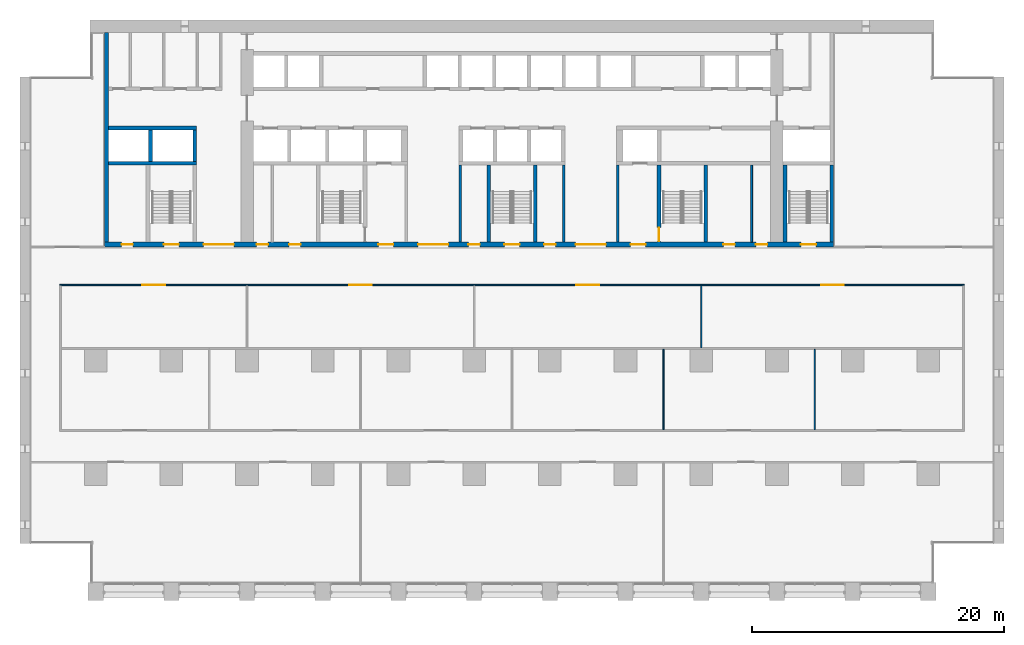
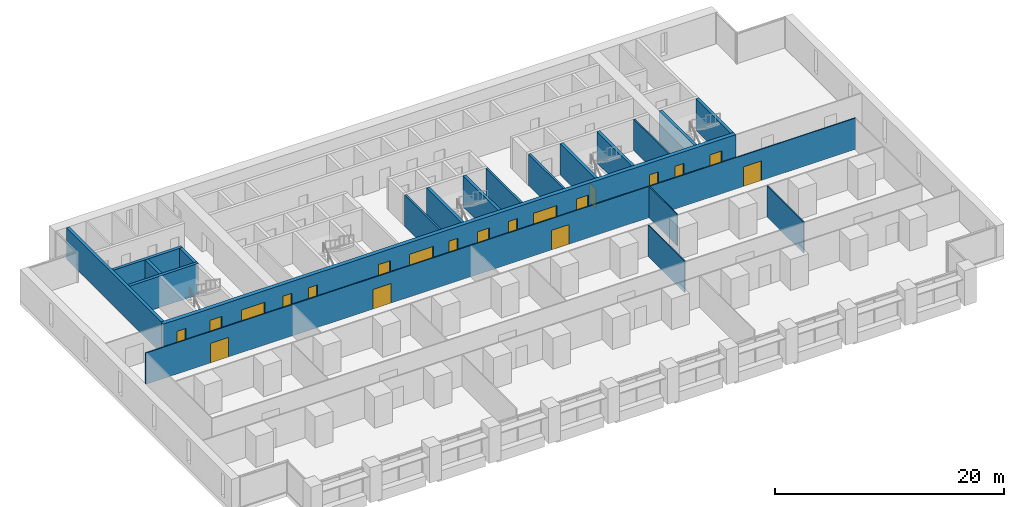
# One storey, part 10 of 18: 20 doors, 20 walls, 20 openings.
"""IFC4 building model written with IfcOpenShell, lengths in metres."""

import ifcopenshell
import ifcopenshell.guid

model = None  # the IFC model being written
_history = None  # IfcOwnerHistory: only IFC2X3 demands one
_inside = {}  # id of a spatial element -> (the spatial element, [elements in it])
_under = {}  # id of a project, library or spatial element -> (it, [spatial elements below it])
_declared = {}  # id of a project -> (the project, [libraries it declares])
_typed = {}  # id of a type object -> (the type object, [elements of that type])
_made_of = {}  # id of a material, layer set ... -> (it, [elements and type objects made of it])


def new_model(schema):
    """Start an empty IFC model of exactly this schema.

    Asked for "IFC4X3", IfcOpenShell would pick the latest addendum, in which some entities
    have other attributes; the version numbers below select the first issue.
    IFC2X3 requires an IfcOwnerHistory on every rooted entity: one is made here for all.
    """
    global model, _history
    if schema == "IFC4X3":
        model = ifcopenshell.file(schema_version=(4, 3, 0, 0))
    else:
        model = ifcopenshell.file(schema=schema)
    _inside.clear()
    _under.clear()
    _declared.clear()
    _typed.clear()
    _made_of.clear()
    _history = None
    if model.schema == "IFC2X3":
        org = make("IfcOrganization", Name="unknown")
        user = make(
            "IfcPersonAndOrganization",
            ThePerson=make("IfcPerson", FamilyName="unknown"),
            TheOrganization=org,
        )
        app = make(
            "IfcApplication",
            ApplicationDeveloper=org,
            Version="unknown",
            ApplicationFullName="unknown",
            ApplicationIdentifier="unknown",
        )
        _history = make(
            "IfcOwnerHistory",
            OwningUser=user,
            OwningApplication=app,
            ChangeAction="ADDED",
            CreationDate=0,
        )
    return model


def make(cls, **values):
    """One entity of the class cls with the attributes given. An attribute that is None is left unset."""
    return model.create_entity(
        cls, **{name: value for name, value in values.items() if value is not None}
    )


def rooted(cls, **values):
    """An entity with a GlobalId (a new one), such as an element, a storey or a relation."""
    return make(cls, GlobalId=ifcopenshell.guid.new(), OwnerHistory=_history, **values)


def si_unit(unit_type, name, prefix=None):
    """IfcSIUnit, for example si_unit("LENGTHUNIT", "METRE", prefix="MILLI")."""
    return make("IfcSIUnit", UnitType=unit_type, Prefix=prefix, Name=name)


def assignment(units):
    """IfcUnitAssignment: the units of a project."""
    return None if units is None else make("IfcUnitAssignment", Units=units)


def point(xyz):
    """IfcCartesianPoint."""
    return None if xyz is None else make("IfcCartesianPoint", Coordinates=xyz)


def direction(xyz):
    """IfcDirection."""
    return None if xyz is None else make("IfcDirection", DirectionRatios=xyz)


def frame(location, z_axis=None, x_axis=None):
    """IfcAxis2Placement3D, a coordinate frame: its origin and axes. An axis left out is left unset."""
    return make(
        "IfcAxis2Placement3D",
        Location=point(location),
        Axis=direction(z_axis),
        RefDirection=direction(x_axis),
    )


def frame_2d(location, x_axis=None):
    """IfcAxis2Placement2D, a coordinate frame in the plane: its origin and x axis."""
    return make(
        "IfcAxis2Placement2D", Location=point(location), RefDirection=direction(x_axis)
    )


def origin():
    """The frame at (0, 0, 0) with its axes left unset."""
    return frame((0.0, 0.0, 0.0))


def place(relative_to, where):
    """IfcLocalPlacement: puts the frame where relative to a parent placement (None: the world)."""
    return make(
        "IfcLocalPlacement", PlacementRelTo=relative_to, RelativePlacement=where
    )


def context(
    kind, dimensions, precision=None, world=None, true_north=None, identifier=None
):
    """IfcGeometricRepresentationContext, for example the 3D "Model" context."""
    return make(
        "IfcGeometricRepresentationContext",
        ContextIdentifier=identifier,
        ContextType=kind,
        CoordinateSpaceDimension=dimensions,
        Precision=precision,
        WorldCoordinateSystem=world,
        TrueNorth=true_north,
    )


def subcontext(parent, identifier, kind, view, scale=None):
    """IfcGeometricRepresentationSubContext, for example "Body" below "Model"."""
    return make(
        "IfcGeometricRepresentationSubContext",
        ContextIdentifier=identifier,
        ContextType=kind,
        ParentContext=parent,
        TargetScale=scale,
        TargetView=view,
    )


def project(units=None, contexts=None):
    """IfcProject with its units and contexts."""
    return rooted(
        "IfcProject",
        Name="project",
        RepresentationContexts=contexts,
        UnitsInContext=assignment(units),
    )


def spatial(cls, under=None, at=None, **own):
    """A site, building, storey or space (cls), placed at a placement, below another one or the project."""
    s = rooted(cls, ObjectPlacement=at, **own)
    if under is not None:
        _under.setdefault(under.id(), (under, []))[1].append(s)
    return s


def profile(cls, at=None, kind="AREA", **sizes):
    """A parametric profile (cls). Its sizes go by their IFC names, for example OverallWidth=200.0."""
    return make(cls, ProfileType=kind, Position=at, **sizes)


def rectangle(**sizes):
    """IfcRectangleProfileDef."""
    return profile("IfcRectangleProfileDef", **sizes)


def extrude(swept, where, along, depth):
    """IfcExtrudedAreaSolid: the profile swept, set in the frame where, extruded along a direction by depth."""
    return make(
        "IfcExtrudedAreaSolid",
        SweptArea=swept,
        Position=where,
        ExtrudedDirection=direction(along),
        Depth=depth,
    )


def shape(context_of_items, identifier, shape_type, items):
    """IfcShapeRepresentation: the items that make up one representation, for example the "Body"."""
    return make(
        "IfcShapeRepresentation",
        ContextOfItems=context_of_items,
        RepresentationIdentifier=identifier,
        RepresentationType=shape_type,
        Items=items,
    )


def material(Name=None, Category=None):
    """IfcMaterial."""
    return make("IfcMaterial", Name=Name, Category=Category)


def layer(
    of_material, thickness, ventilated=None, Name=None, Category=None, Priority=None
):
    """IfcMaterialLayer: one layer of a wall or slab, of a material (None: an air gap)."""
    return make(
        "IfcMaterialLayer",
        Material=of_material,
        LayerThickness=thickness,
        IsVentilated=ventilated,
        Name=Name,
        Category=Category,
        Priority=Priority,
    )


def layer_set(layers, Name=None):
    """IfcMaterialLayerSet."""
    return make("IfcMaterialLayerSet", MaterialLayers=layers, LayerSetName=Name)


def made_of(thing, what):
    """Note that an element or type object is made of a material, layer set ...; save() writes the relation."""
    if what is not None:
        _made_of.setdefault(what.id(), (what, []))[1].append(thing)
    return thing


def type_object(cls, material=None, **own):
    """A type object (cls), such as IfcWallType, which elements share."""
    return made_of(rooted(cls, **own), material)


def element(
    cls,
    number,
    at=None,
    inside=None,
    cuts=None,
    type_object=None,
    material=None,
    context=None,
    identifier="Body",
    shape_type=None,
    held_by="IfcProductDefinitionShape",
    body=None,
    shapes=None,
    **own,
):
    """One element of the class cls, such as IfcWall. Its Tag is "e" and its number.

    at: its placement. inside: the storey or other place that contains it. cuts: it is an
    opening in that element (IfcRelVoidsElement). A single representation is given by context,
    identifier, shape_type and body (its items); several are given by shapes. held_by: the class
    of the entity that holds the representations. save() writes the other relations.
    """
    e = rooted(cls, Tag="e%d" % number, ObjectPlacement=at, **own)
    if body is not None:
        shapes = [shape(context, identifier, shape_type, body)]
    if shapes is not None:
        e.Representation = make(held_by, Representations=shapes)
    if inside is not None:
        _inside.setdefault(inside.id(), (inside, []))[1].append(e)
    if cuts is not None:
        rooted(
            "IfcRelVoidsElement", RelatingBuildingElement=cuts, RelatedOpeningElement=e
        )
    if type_object is not None:
        _typed.setdefault(type_object.id(), (type_object, []))[1].append(e)
    return made_of(e, material)


def fill(opening, filler):
    """IfcRelFillsElement: the door or window that sits in an opening."""
    return rooted(
        "IfcRelFillsElement",
        RelatingOpeningElement=opening,
        RelatedBuildingElement=filler,
    )


def aggregate(whole, parts):
    """IfcRelAggregates: a whole, such as a stair, and the parts it consists of."""
    return rooted("IfcRelAggregates", RelatingObject=whole, RelatedObjects=parts)


def save(model, path):
    """Write the relations noted so far, then the file.

    IfcRelAggregates (storeys below a building ...), IfcRelContainedInSpatialStructure (elements
    in a storey), IfcRelDefinesByType, IfcRelAssociatesMaterial and IfcRelDeclares: one each for
    every whole, place, type object, material and project.
    """
    for whole, parts in _under.values():
        aggregate(whole, parts)
    for where, things in _inside.values():
        rooted(
            "IfcRelContainedInSpatialStructure",
            RelatedElements=things,
            RelatingStructure=where,
        )
    for kind, things in _typed.values():
        rooted("IfcRelDefinesByType", RelatedObjects=things, RelatingType=kind)
    for what, things in _made_of.values():
        rooted("IfcRelAssociatesMaterial", RelatedObjects=things, RelatingMaterial=what)
    for by, libraries in _declared.values():
        rooted("IfcRelDeclares", RelatingContext=by, RelatedDefinitions=libraries)
    model.write(path)


model = new_model("IFC4")

# Units and contexts
model_context = context("Model", 3, precision=1e-05, world=origin(), true_north=direction((0.0, 1.0)))
body_context = subcontext(model_context, "Body", "Model", "MODEL_VIEW")
ifc_project = project(units=[si_unit("LENGTHUNIT", "METRE"), si_unit("AREAUNIT", "SQUARE_METRE"), si_unit("VOLUMEUNIT", "CUBIC_METRE"), si_unit("PLANEANGLEUNIT", "RADIAN"), si_unit("MASSUNIT", "GRAM", prefix="KILO")], contexts=[model_context])

# Site, building, storey
site_placement = place(None, origin())
site = spatial("IfcSite", under=ifc_project, at=site_placement, CompositionType="ELEMENT")
building_placement = place(site_placement, origin())
building = spatial("IfcBuilding", under=site, at=building_placement, Name="Calvaro Tower", CompositionType="ELEMENT")
storey_placement = place(building_placement, frame((0.0, 0.0, 30.0)))
storey = spatial("IfcBuildingStorey", under=building, at=storey_placement, Name="L06", CompositionType="ELEMENT", Elevation=30.0)

# Walls
ifc_material_1 = material(Name="Blockwork partition", Category="masonry")
ifc_layer_1 = layer(ifc_material_1, 0.14990234375)
ifc_layer_set_1 = layer_set([ifc_layer_1], Name="Blockwork partition")
wall_type_1 = type_object("IfcWallType", Name="Core partition 150 EI 60", PredefinedType="PARTITIONING", material=ifc_layer_set_1)
wall_1_placement = place(storey_placement, frame((58.0, 28.39990234375, 0.0), z_axis=(0.0, 0.0, 1.0), x_axis=(0.0, 1.0, 0.0)))
element("IfcWall", 1, at=wall_1_placement, inside=storey, type_object=wall_type_1, Name="Core partition", PredefinedType="PARTITIONING", context=body_context, shape_type="SweptSolid", body=[
    extrude(rectangle(XDim=6.10009765625, YDim=0.14990234375, at=frame_2d((3.050048828125, 0.0))), origin(), (0.0, 0.0, 1.0), 3.35009765625),
])
ifc_material_2 = material(Name="Blockwork partition", Category="masonry")
ifc_layer_2 = layer(ifc_material_2, 0.199951171875)
ifc_layer_set_2 = layer_set([ifc_layer_2], Name="Blockwork partition")
wall_type_2 = type_object("IfcWallType", Name="Core partition 200 REI 120", PredefinedType="PARTITIONING", material=ifc_layer_set_2)
for number, where, z_axis, x_axis, name in (
    (2, (34.89990234375, 28.39990234375, 0.0), (0.0, 0.0, 1.0), (0.0, 1.0, 0.0), "Core partition"),
    (3, (43.10009765625, 28.39990234375, 0.0), (0.0, 0.0, 1.0), (0.0, 1.0, 0.0), "Core partition"),
    (4, (47.39990234375, 28.39990234375, 0.0), (0.0, 0.0, 1.0), (0.0, 1.0, 0.0), "Core partition"),
):
    element("IfcWall", number, at=place(storey_placement, frame(where, z_axis=z_axis, x_axis=x_axis)), inside=storey, type_object=wall_type_2, Name=name, PredefinedType="PARTITIONING", context=body_context, shape_type="SweptSolid", body=[
        extrude(rectangle(XDim=6.10009765625, YDim=0.199951171875, at=frame_2d((3.050048828125, 0.0))), origin(), (0.0, 0.0, 1.0), 3.35009765625),
    ])
ifc_material_3 = material(Name="Concrete C80/95", Category="concrete")
ifc_layer_3 = layer(ifc_material_3, 0.300048828125)
ifc_layer_set_3 = layer_set([ifc_layer_3], Name="Concrete C80/95")
wall_type_3 = type_object("IfcWallType", Name="Core wall C80/95 300", PredefinedType="SHEAR", material=ifc_layer_set_3)
wall_2_placement = place(storey_placement, frame((6.85009765625, 28.39990234375, 0.0), z_axis=(0.0, 0.0, 1.0), x_axis=(0.0, 1.0, 0.0)))
element("IfcWall", 5, at=wall_2_placement, inside=storey, type_object=wall_type_3, Name="Core wall, boundary", PredefinedType="SHEAR", context=body_context, shape_type="SweptSolid", body=[
    extrude(rectangle(XDim=16.60009765625, YDim=0.300048828125, at=frame_2d((8.300048828125, 0.0))), origin(), (0.0, 0.0, 1.0), 3.35009765625),
])
for number, where, z_axis, x_axis, name in (
    (6, (37.14990234375, 28.39990234375, 0.0), (0.0, 0.0, 1.0), (0.0, 1.0, 0.0), "Core wall, stair enclosure"),
    (7, (40.85009765625, 28.39990234375, 0.0), (0.0, 0.0, 1.0), (0.0, 1.0, 0.0), "Core wall, stair enclosure"),
):
    element("IfcWall", number, at=place(storey_placement, frame(where, z_axis=z_axis, x_axis=x_axis)), inside=storey, type_object=wall_type_3, Name=name, PredefinedType="SHEAR", context=body_context, shape_type="SweptSolid", body=[
        extrude(rectangle(XDim=6.10009765625, YDim=0.300048828125, at=frame_2d((3.050048828125, 0.0))), origin(), (0.0, 0.0, 1.0), 3.35009765625),
    ])

# Wall, opening, door
wall_3_placement = place(storey_placement, frame((50.64990234375, 34.5, 0.0), z_axis=(0.0, 0.0, 1.0), x_axis=(0.0, -1.0, 0.0)))
wall_3 = element("IfcWall", 8, at=wall_3_placement, inside=storey, type_object=wall_type_3, Name="Core wall, stair enclosure", PredefinedType="SHEAR", context=body_context, shape_type="SweptSolid", body=[
    extrude(rectangle(XDim=6.10009765625, YDim=0.300048828125, at=frame_2d((3.050048828125, 0.0))), origin(), (0.0, 0.0, 1.0), 3.35009765625),
])
opening_1_placement = place(wall_3_placement, frame((4.949951171875, 0.0, 0.0)))
opening_1 = element("IfcOpeningElement", 9, at=opening_1_placement, cuts=wall_3, Name="Opening FD11D", PredefinedType="OPENING", context=body_context, shape_type="SweptSolid", body=[
    extrude(rectangle(XDim=1.10009765625, YDim=2.10009765625, at=frame_2d((0.550048828125, 1.050048828125))), frame((0.0, 0.159912109375, 0.0), z_axis=(0.0, -1.0, 0.0), x_axis=(1.0, 0.0, 0.0)), (0.0, 0.0, 1.0), 0.320068359375),
])
ifc_material_4 = material(Name="Steel door set", Category="steel")
door_type_1 = type_object("IfcDoorType", Name="Fire door 1100 FD30S", OperationType="SINGLE_SWING_LEFT", PredefinedType="DOOR", material=ifc_material_4)
door_1_placement = place(opening_1_placement, origin())
door_1 = element("IfcDoor", 10, at=door_1_placement, inside=storey, type_object=door_type_1, Name="Fire door", OperationType="SINGLE_SWING_RIGHT", OverallHeight=2.10009765625, OverallWidth=1.10009765625, PredefinedType="DOOR", context=body_context, shape_type="SweptSolid", body=[
    extrude(rectangle(XDim=1.10009765625, YDim=2.10009765625, at=frame_2d((0.550048828125, 1.050048828125))), frame((0.0, 0.02490234375, 0.0), z_axis=(0.0, -1.0, 0.0), x_axis=(1.0, 0.0, 0.0)), (0.0, 0.0, 1.0), 0.050048828125),
])
fill(opening_1, door_1)

# Walls
for number, where, z_axis, x_axis, name in (
    (11, (54.35009765625, 28.39990234375, 0.0), (0.0, 0.0, 1.0), (0.0, 1.0, 0.0), "Core wall, stair enclosure"),
    (12, (60.64990234375, 28.39990234375, 0.0), (0.0, 0.0, 1.0), (0.0, 1.0, 0.0), "Core wall, stair enclosure"),
    (13, (64.35009765625, 28.39990234375, 0.0), (0.0, 0.0, 1.0), (0.0, 1.0, 0.0), "Core wall, stair enclosure"),
):
    element("IfcWall", number, at=place(storey_placement, frame(where, z_axis=z_axis, x_axis=x_axis)), inside=storey, type_object=wall_type_3, Name=name, PredefinedType="SHEAR", context=body_context, shape_type="SweptSolid", body=[
        extrude(rectangle(XDim=6.10009765625, YDim=0.300048828125, at=frame_2d((3.050048828125, 0.0))), origin(), (0.0, 0.0, 1.0), 3.35009765625),
    ])
for number, where, z_axis, x_axis, name in (
    (14, (7.0, 34.64990234375, 0.0), (0.0, 0.0, 1.0), (1.0, 0.0, 0.0), "Core wall, lift shaft"),
    (15, (7.0, 37.449951171875, 0.0), (0.0, 0.0, 1.0), (1.0, 0.0, 0.0), "Core wall, lift shaft"),
):
    element("IfcWall", number, at=place(storey_placement, frame(where, z_axis=z_axis, x_axis=x_axis)), inside=storey, type_object=wall_type_3, Name=name, PredefinedType="SHEAR", context=body_context, shape_type="SweptSolid", body=[
        extrude(rectangle(XDim=7.0, YDim=0.300048828125, at=frame_2d((3.5, 0.0))), origin(), (0.0, 0.0, 1.0), 3.35009765625),
    ])
for number, where, z_axis, x_axis, name in (
    (16, (13.85009765625, 34.800048828125, 0.0), (0.0, 0.0, 1.0), (0.0, 1.0, 0.0), "Core wall, lift shaft"),
    (17, (10.35009765625, 34.800048828125, 0.0), (0.0, 0.0, 1.0), (0.0, 1.0, 0.0), "Core wall, lift shaft"),
):
    element("IfcWall", number, at=place(storey_placement, frame(where, z_axis=z_axis, x_axis=x_axis)), inside=storey, type_object=wall_type_3, Name=name, PredefinedType="SHEAR", context=body_context, shape_type="SweptSolid", body=[
        extrude(rectangle(XDim=2.5, YDim=0.300048828125, at=frame_2d((1.25, 0.0))), origin(), (0.0, 0.0, 1.0), 3.35009765625),
    ])

# Wall, openings, doors
ifc_material_5 = material(Name="Concrete C80/95", Category="concrete")
ifc_layer_4 = layer(ifc_material_5, 0.39990234375)
ifc_layer_set_4 = layer_set([ifc_layer_4], Name="Concrete C80/95")
wall_type_4 = type_object("IfcWallType", Name="Core wall C80/95 400", PredefinedType="SHEAR", material=ifc_layer_set_4)
wall_4_placement = place(storey_placement, frame((6.699951171875, 28.199951171875, 0.0), z_axis=(0.0, 0.0, 1.0), x_axis=(1.0, 0.0, 0.0)))
wall_4 = element("IfcWall", 18, at=wall_4_placement, inside=storey, type_object=wall_type_4, Name="Core wall, front", PredefinedType="SHEAR", context=body_context, shape_type="SweptSolid", body=[
    extrude(rectangle(XDim=57.800048828125, YDim=0.39990234375, at=frame_2d((28.89990234375, 0.0))), origin(), (0.0, 0.0, 1.0), 3.35009765625),
])
opening_2_placement = place(wall_4_placement, frame((12.0625, 0.0, 0.0)))
opening_2 = element("IfcOpeningElement", 19, at=opening_2_placement, cuts=wall_4, Name="Opening RD9C", PredefinedType="OPENING", context=body_context, shape_type="SweptSolid", body=[
    extrude(rectangle(XDim=0.89990234375, YDim=2.10009765625, at=frame_2d((0.449951171875, 1.050048828125))), frame((0.0, 0.2099609375, 0.0), z_axis=(0.0, -1.0, 0.0), x_axis=(1.0, 0.0, 0.0)), (0.0, 0.0, 1.0), 0.419921875),
])
opening_3_placement = place(wall_4_placement, frame((14.637451171875, 0.0, 0.0)))
opening_3 = element("IfcOpeningElement", 20, at=opening_3_placement, cuts=wall_4, Name="Opening RD9E", PredefinedType="OPENING", context=body_context, shape_type="SweptSolid", body=[
    extrude(rectangle(XDim=0.89990234375, YDim=2.10009765625, at=frame_2d((0.449951171875, 1.050048828125))), frame((0.0, 0.2099609375, 0.0), z_axis=(0.0, -1.0, 0.0), x_axis=(1.0, 0.0, 0.0)), (0.0, 0.0, 1.0), 0.419921875),
])
opening_4_placement = place(wall_4_placement, frame((49.0625, 0.0, 0.0)))
opening_4 = element("IfcOpeningElement", 21, at=opening_4_placement, cuts=wall_4, Name="Opening RD9E", PredefinedType="OPENING", context=body_context, shape_type="SweptSolid", body=[
    extrude(rectangle(XDim=0.89990234375, YDim=2.10009765625, at=frame_2d((0.449951171875, 1.050048828125))), frame((0.0, 0.2099609375, 0.0), z_axis=(0.0, -1.0, 0.0), x_axis=(1.0, 0.0, 0.0)), (0.0, 0.0, 1.0), 0.419921875),
])
opening_5_placement = place(wall_4_placement, frame((51.637451171875, 0.0, 0.0)))
opening_5 = element("IfcOpeningElement", 22, at=opening_5_placement, cuts=wall_4, Name="Opening RD9C", PredefinedType="OPENING", context=body_context, shape_type="SweptSolid", body=[
    extrude(rectangle(XDim=0.89990234375, YDim=2.10009765625, at=frame_2d((0.449951171875, 1.050048828125))), frame((0.0, 0.2099609375, 0.0), z_axis=(0.0, -1.0, 0.0), x_axis=(1.0, 0.0, 0.0)), (0.0, 0.0, 1.0), 0.419921875),
])
opening_6_placement = place(wall_4_placement, frame((1.35009765625, 0.0, 0.0)))
opening_6 = element("IfcOpeningElement", 23, at=opening_6_placement, cuts=wall_4, Name="Opening RD9E", PredefinedType="OPENING", context=body_context, shape_type="SweptSolid", body=[
    extrude(rectangle(XDim=0.89990234375, YDim=2.10009765625, at=frame_2d((0.449951171875, 1.050048828125))), frame((0.0, 0.2099609375, 0.0), z_axis=(0.0, -1.0, 0.0), x_axis=(1.0, 0.0, 0.0)), (0.0, 0.0, 1.0), 0.419921875),
])
opening_7_placement = place(wall_4_placement, frame((4.699951171875, 0.0, 0.0)))
opening_7 = element("IfcOpeningElement", 24, at=opening_7_placement, cuts=wall_4, Name="Opening SD12D", PredefinedType="OPENING", context=body_context, shape_type="SweptSolid", body=[
    extrude(rectangle(XDim=1.199951171875, YDim=2.10009765625, at=frame_2d((0.60009765625, 1.050048828125))), frame((0.0, 0.2099609375, 0.0), z_axis=(0.0, -1.0, 0.0), x_axis=(1.0, 0.0, 0.0)), (0.0, 0.0, 1.0), 0.419921875),
])
opening_8_placement = place(wall_4_placement, frame((31.699951171875, 0.0, 0.0)))
opening_8 = element("IfcOpeningElement", 25, at=opening_8_placement, cuts=wall_4, Name="Opening SD12D", PredefinedType="OPENING", context=body_context, shape_type="SweptSolid", body=[
    extrude(rectangle(XDim=1.199951171875, YDim=2.10009765625, at=frame_2d((0.60009765625, 1.050048828125))), frame((0.0, 0.2099609375, 0.0), z_axis=(0.0, -1.0, 0.0), x_axis=(1.0, 0.0, 0.0)), (0.0, 0.0, 1.0), 0.419921875),
])
opening_9_placement = place(wall_4_placement, frame((55.199951171875, 0.0, 0.0)))
opening_9 = element("IfcOpeningElement", 26, at=opening_9_placement, cuts=wall_4, Name="Opening SD12D", PredefinedType="OPENING", context=body_context, shape_type="SweptSolid", body=[
    extrude(rectangle(XDim=1.199951171875, YDim=2.10009765625, at=frame_2d((0.60009765625, 1.050048828125))), frame((0.0, 0.2099609375, 0.0), z_axis=(0.0, -1.0, 0.0), x_axis=(1.0, 0.0, 0.0)), (0.0, 0.0, 1.0), 0.419921875),
])
opening_10_placement = place(wall_4_placement, frame((21.699951171875, 0.0, 0.0)))
opening_10 = element("IfcOpeningElement", 27, at=opening_10_placement, cuts=wall_4, Name="Opening FD12F", PredefinedType="OPENING", context=body_context, shape_type="SweptSolid", body=[
    extrude(rectangle(XDim=1.199951171875, YDim=2.10009765625, at=frame_2d((0.60009765625, 1.050048828125))), frame((0.0, 0.2099609375, 0.0), z_axis=(0.0, -1.0, 0.0), x_axis=(1.0, 0.0, 0.0)), (0.0, 0.0, 1.0), 0.419921875),
])
opening_11_placement = place(wall_4_placement, frame((41.699951171875, 0.0, 0.0)))
opening_11 = element("IfcOpeningElement", 28, at=opening_11_placement, cuts=wall_4, Name="Opening FD12F", PredefinedType="OPENING", context=body_context, shape_type="SweptSolid", body=[
    extrude(rectangle(XDim=1.199951171875, YDim=2.10009765625, at=frame_2d((0.60009765625, 1.050048828125))), frame((0.0, 0.2099609375, 0.0), z_axis=(0.0, -1.0, 0.0), x_axis=(1.0, 0.0, 0.0)), (0.0, 0.0, 1.0), 0.419921875),
])
opening_12_placement = place(wall_4_placement, frame((24.85009765625, 0.0, 0.0)))
opening_12 = element("IfcOpeningElement", 29, at=opening_12_placement, cuts=wall_4, Name="Opening DD24D", PredefinedType="OPENING", context=body_context, shape_type="SweptSolid", body=[
    extrude(rectangle(XDim=2.39990234375, YDim=2.10009765625, at=frame_2d((1.199951171875, 1.050048828125))), frame((0.0, 0.2099609375, 0.0), z_axis=(0.0, -1.0, 0.0), x_axis=(1.0, 0.0, 0.0)), (0.0, 0.0, 1.0), 0.419921875),
])
opening_13_placement = place(wall_4_placement, frame((37.35009765625, 0.0, 0.0)))
opening_13 = element("IfcOpeningElement", 30, at=opening_13_placement, cuts=wall_4, Name="Opening DD24D", PredefinedType="OPENING", context=body_context, shape_type="SweptSolid", body=[
    extrude(rectangle(XDim=2.39990234375, YDim=2.10009765625, at=frame_2d((1.199951171875, 1.050048828125))), frame((0.0, 0.2099609375, 0.0), z_axis=(0.0, -1.0, 0.0), x_axis=(1.0, 0.0, 0.0)), (0.0, 0.0, 1.0), 0.419921875),
])
opening_14_placement = place(wall_4_placement, frame((7.85009765625, 0.0, 0.0)))
opening_14 = element("IfcOpeningElement", 31, at=opening_14_placement, cuts=wall_4, Name="Opening DD24D", PredefinedType="OPENING", context=body_context, shape_type="SweptSolid", body=[
    extrude(rectangle(XDim=2.39990234375, YDim=2.10009765625, at=frame_2d((1.199951171875, 1.050048828125))), frame((0.0, 0.2099609375, 0.0), z_axis=(0.0, -1.0, 0.0), x_axis=(1.0, 0.0, 0.0)), (0.0, 0.0, 1.0), 0.419921875),
])
opening_15_placement = place(wall_4_placement, frame((28.85009765625, 0.0, 0.0)))
opening_15 = element("IfcOpeningElement", 32, at=opening_15_placement, cuts=wall_4, Name="Opening RD9E", PredefinedType="OPENING", context=body_context, shape_type="SweptSolid", body=[
    extrude(rectangle(XDim=0.89990234375, YDim=2.10009765625, at=frame_2d((0.449951171875, 1.050048828125))), frame((0.0, 0.2099609375, 0.0), z_axis=(0.0, -1.0, 0.0), x_axis=(1.0, 0.0, 0.0)), (0.0, 0.0, 1.0), 0.419921875),
])
opening_16_placement = place(wall_4_placement, frame((34.85009765625, 0.0, 0.0)))
opening_16 = element("IfcOpeningElement", 33, at=opening_16_placement, cuts=wall_4, Name="Opening RD9E", PredefinedType="OPENING", context=body_context, shape_type="SweptSolid", body=[
    extrude(rectangle(XDim=0.89990234375, YDim=2.10009765625, at=frame_2d((0.449951171875, 1.050048828125))), frame((0.0, 0.2099609375, 0.0), z_axis=(0.0, -1.0, 0.0), x_axis=(1.0, 0.0, 0.0)), (0.0, 0.0, 1.0), 0.419921875),
])
ifc_material_6 = material(Name="Steel door set", Category="steel")
door_type_2 = type_object("IfcDoorType", Name="Fire door 1200 FD60S", OperationType="SINGLE_SWING_LEFT", PredefinedType="DOOR", material=ifc_material_6)
door_2_placement = place(opening_10_placement, origin())
door_2 = element("IfcDoor", 34, at=door_2_placement, inside=storey, type_object=door_type_2, Name="Fire door", OperationType="SINGLE_SWING_LEFT", OverallHeight=2.10009765625, OverallWidth=1.199951171875, PredefinedType="DOOR", context=body_context, shape_type="SweptSolid", body=[
    extrude(rectangle(XDim=1.199951171875, YDim=2.10009765625, at=frame_2d((0.60009765625, 1.050048828125))), frame((0.0, 0.02490234375, 0.0), z_axis=(0.0, -1.0, 0.0), x_axis=(1.0, 0.0, 0.0)), (0.0, 0.0, 1.0), 0.050048828125),
])
fill(opening_10, door_2)
door_3_placement = place(opening_11_placement, origin())
door_3 = element("IfcDoor", 35, at=door_3_placement, inside=storey, type_object=door_type_2, Name="Fire door", OperationType="SINGLE_SWING_LEFT", OverallHeight=2.10009765625, OverallWidth=1.199951171875, PredefinedType="DOOR", context=body_context, shape_type="SweptSolid", body=[
    extrude(rectangle(XDim=1.199951171875, YDim=2.10009765625, at=frame_2d((0.60009765625, 1.050048828125))), frame((0.0, 0.02490234375, 0.0), z_axis=(0.0, -1.0, 0.0), x_axis=(1.0, 0.0, 0.0)), (0.0, 0.0, 1.0), 0.050048828125),
])
fill(opening_11, door_3)
ifc_material_7 = material(Name="Steel door set", Category="steel")
door_type_3 = type_object("IfcDoorType", Name="Lobby double door 2400 FD30S", OperationType="DOUBLE_DOOR_SINGLE_SWING", PredefinedType="DOOR", material=ifc_material_7)
door_4_placement = place(opening_12_placement, origin())
door_4 = element("IfcDoor", 36, at=door_4_placement, inside=storey, type_object=door_type_3, Name="Lobby double door", OperationType="DOUBLE_DOOR_SINGLE_SWING", OverallHeight=2.10009765625, OverallWidth=2.39990234375, PredefinedType="DOOR", context=body_context, shape_type="SweptSolid", body=[
    extrude(rectangle(XDim=2.39990234375, YDim=2.10009765625, at=frame_2d((1.199951171875, 1.050048828125))), frame((0.0, 0.02490234375, 0.0), z_axis=(0.0, -1.0, 0.0), x_axis=(1.0, 0.0, 0.0)), (0.0, 0.0, 1.0), 0.050048828125),
])
fill(opening_12, door_4)
door_5_placement = place(opening_13_placement, origin())
door_5 = element("IfcDoor", 37, at=door_5_placement, inside=storey, type_object=door_type_3, Name="Lobby double door", OperationType="DOUBLE_DOOR_SINGLE_SWING", OverallHeight=2.10009765625, OverallWidth=2.39990234375, PredefinedType="DOOR", context=body_context, shape_type="SweptSolid", body=[
    extrude(rectangle(XDim=2.39990234375, YDim=2.10009765625, at=frame_2d((1.199951171875, 1.050048828125))), frame((0.0, 0.02490234375, 0.0), z_axis=(0.0, -1.0, 0.0), x_axis=(1.0, 0.0, 0.0)), (0.0, 0.0, 1.0), 0.050048828125),
])
fill(opening_13, door_5)
door_6_placement = place(opening_14_placement, origin())
door_6 = element("IfcDoor", 38, at=door_6_placement, inside=storey, type_object=door_type_3, Name="Lobby double door", OperationType="DOUBLE_DOOR_SINGLE_SWING", OverallHeight=2.10009765625, OverallWidth=2.39990234375, PredefinedType="DOOR", context=body_context, shape_type="SweptSolid", body=[
    extrude(rectangle(XDim=2.39990234375, YDim=2.10009765625, at=frame_2d((1.199951171875, 1.050048828125))), frame((0.0, 0.02490234375, 0.0), z_axis=(0.0, -1.0, 0.0), x_axis=(1.0, 0.0, 0.0)), (0.0, 0.0, 1.0), 0.050048828125),
])
fill(opening_14, door_6)
ifc_material_8 = material(Name="Steel door set", Category="steel")
door_type_4 = type_object("IfcDoorType", Name="Room door 900 FD30", OperationType="SINGLE_SWING_LEFT", PredefinedType="DOOR", material=ifc_material_8)
door_7_placement = place(opening_2_placement, origin())
door_7 = element("IfcDoor", 39, at=door_7_placement, inside=storey, type_object=door_type_4, Name="Room door", OperationType="SINGLE_SWING_LEFT", OverallHeight=2.10009765625, OverallWidth=0.89990234375, PredefinedType="DOOR", context=body_context, shape_type="SweptSolid", body=[
    extrude(rectangle(XDim=0.89990234375, YDim=2.10009765625, at=frame_2d((0.449951171875, 1.050048828125))), frame((0.0, 0.02490234375, 0.0), z_axis=(0.0, -1.0, 0.0), x_axis=(1.0, 0.0, 0.0)), (0.0, 0.0, 1.0), 0.050048828125),
])
fill(opening_2, door_7)
door_8_placement = place(opening_5_placement, origin())
door_8 = element("IfcDoor", 40, at=door_8_placement, inside=storey, type_object=door_type_4, Name="Room door", OperationType="SINGLE_SWING_LEFT", OverallHeight=2.10009765625, OverallWidth=0.89990234375, PredefinedType="DOOR", context=body_context, shape_type="SweptSolid", body=[
    extrude(rectangle(XDim=0.89990234375, YDim=2.10009765625, at=frame_2d((0.449951171875, 1.050048828125))), frame((0.0, 0.02490234375, 0.0), z_axis=(0.0, -1.0, 0.0), x_axis=(1.0, 0.0, 0.0)), (0.0, 0.0, 1.0), 0.050048828125),
])
fill(opening_5, door_8)
ifc_material_9 = material(Name="Steel door set", Category="steel")
door_type_5 = type_object("IfcDoorType", Name="Room door 900 FD60", OperationType="SINGLE_SWING_LEFT", PredefinedType="DOOR", material=ifc_material_9)
door_9_placement = place(opening_3_placement, origin())
door_9 = element("IfcDoor", 41, at=door_9_placement, inside=storey, type_object=door_type_5, Name="Room door", OperationType="SINGLE_SWING_RIGHT", OverallHeight=2.10009765625, OverallWidth=0.89990234375, PredefinedType="DOOR", context=body_context, shape_type="SweptSolid", body=[
    extrude(rectangle(XDim=0.89990234375, YDim=2.10009765625, at=frame_2d((0.449951171875, 1.050048828125))), frame((0.0, 0.02490234375, 0.0), z_axis=(0.0, -1.0, 0.0), x_axis=(1.0, 0.0, 0.0)), (0.0, 0.0, 1.0), 0.050048828125),
])
fill(opening_3, door_9)
door_10_placement = place(opening_4_placement, origin())
door_10 = element("IfcDoor", 42, at=door_10_placement, inside=storey, type_object=door_type_5, Name="Room door", OperationType="SINGLE_SWING_LEFT", OverallHeight=2.10009765625, OverallWidth=0.89990234375, PredefinedType="DOOR", context=body_context, shape_type="SweptSolid", body=[
    extrude(rectangle(XDim=0.89990234375, YDim=2.10009765625, at=frame_2d((0.449951171875, 1.050048828125))), frame((0.0, 0.02490234375, 0.0), z_axis=(0.0, -1.0, 0.0), x_axis=(1.0, 0.0, 0.0)), (0.0, 0.0, 1.0), 0.050048828125),
])
fill(opening_4, door_10)
door_11_placement = place(opening_6_placement, origin())
door_11 = element("IfcDoor", 43, at=door_11_placement, inside=storey, type_object=door_type_5, Name="Room door", OperationType="SINGLE_SWING_LEFT", OverallHeight=2.10009765625, OverallWidth=0.89990234375, PredefinedType="DOOR", context=body_context, shape_type="SweptSolid", body=[
    extrude(rectangle(XDim=0.89990234375, YDim=2.10009765625, at=frame_2d((0.449951171875, 1.050048828125))), frame((0.0, 0.02490234375, 0.0), z_axis=(0.0, -1.0, 0.0), x_axis=(1.0, 0.0, 0.0)), (0.0, 0.0, 1.0), 0.050048828125),
])
fill(opening_6, door_11)
door_12_placement = place(opening_15_placement, origin())
door_12 = element("IfcDoor", 44, at=door_12_placement, inside=storey, type_object=door_type_5, Name="Room door", OperationType="SINGLE_SWING_LEFT", OverallHeight=2.10009765625, OverallWidth=0.89990234375, PredefinedType="DOOR", context=body_context, shape_type="SweptSolid", body=[
    extrude(rectangle(XDim=0.89990234375, YDim=2.10009765625, at=frame_2d((0.449951171875, 1.050048828125))), frame((0.0, 0.02490234375, 0.0), z_axis=(0.0, -1.0, 0.0), x_axis=(1.0, 0.0, 0.0)), (0.0, 0.0, 1.0), 0.050048828125),
])
fill(opening_15, door_12)
door_13_placement = place(opening_16_placement, origin())
door_13 = element("IfcDoor", 45, at=door_13_placement, inside=storey, type_object=door_type_5, Name="Room door", OperationType="SINGLE_SWING_LEFT", OverallHeight=2.10009765625, OverallWidth=0.89990234375, PredefinedType="DOOR", context=body_context, shape_type="SweptSolid", body=[
    extrude(rectangle(XDim=0.89990234375, YDim=2.10009765625, at=frame_2d((0.449951171875, 1.050048828125))), frame((0.0, 0.02490234375, 0.0), z_axis=(0.0, -1.0, 0.0), x_axis=(1.0, 0.0, 0.0)), (0.0, 0.0, 1.0), 0.050048828125),
])
fill(opening_16, door_13)
ifc_material_10 = material(Name="Steel door set", Category="steel")
door_type_6 = type_object("IfcDoorType", Name="Stair door 1200 FD30S", OperationType="SINGLE_SWING_LEFT", PredefinedType="DOOR", material=ifc_material_10)
door_14_placement = place(opening_7_placement, origin())
door_14 = element("IfcDoor", 46, at=door_14_placement, inside=storey, type_object=door_type_6, Name="Stair door", OperationType="SINGLE_SWING_LEFT", OverallHeight=2.10009765625, OverallWidth=1.199951171875, PredefinedType="DOOR", context=body_context, shape_type="SweptSolid", body=[
    extrude(rectangle(XDim=1.199951171875, YDim=2.10009765625, at=frame_2d((0.60009765625, 1.050048828125))), frame((0.0, 0.02490234375, 0.0), z_axis=(0.0, -1.0, 0.0), x_axis=(1.0, 0.0, 0.0)), (0.0, 0.0, 1.0), 0.050048828125),
])
fill(opening_7, door_14)
door_15_placement = place(opening_8_placement, origin())
door_15 = element("IfcDoor", 47, at=door_15_placement, inside=storey, type_object=door_type_6, Name="Stair door", OperationType="SINGLE_SWING_LEFT", OverallHeight=2.10009765625, OverallWidth=1.199951171875, PredefinedType="DOOR", context=body_context, shape_type="SweptSolid", body=[
    extrude(rectangle(XDim=1.199951171875, YDim=2.10009765625, at=frame_2d((0.60009765625, 1.050048828125))), frame((0.0, 0.02490234375, 0.0), z_axis=(0.0, -1.0, 0.0), x_axis=(1.0, 0.0, 0.0)), (0.0, 0.0, 1.0), 0.050048828125),
])
fill(opening_8, door_15)
door_16_placement = place(opening_9_placement, origin())
door_16 = element("IfcDoor", 48, at=door_16_placement, inside=storey, type_object=door_type_6, Name="Stair door", OperationType="SINGLE_SWING_LEFT", OverallHeight=2.10009765625, OverallWidth=1.199951171875, PredefinedType="DOOR", context=body_context, shape_type="SweptSolid", body=[
    extrude(rectangle(XDim=1.199951171875, YDim=2.10009765625, at=frame_2d((0.60009765625, 1.050048828125))), frame((0.0, 0.02490234375, 0.0), z_axis=(0.0, -1.0, 0.0), x_axis=(1.0, 0.0, 0.0)), (0.0, 0.0, 1.0), 0.050048828125),
])
fill(opening_9, door_16)

ifc_material_11 = material(Name="Plasterboard on steel studs", Category="steel")
ifc_layer_5 = layer(ifc_material_11, 0.10009765625)
ifc_layer_set_5 = layer_set([ifc_layer_5], Name="Plasterboard on steel studs")
wall_type_5 = type_object("IfcWallType", Name="Partition 100", PredefinedType="PARTITIONING", material=ifc_layer_set_5)
wall_5_placement = place(storey_placement, frame((3.14990234375, 25.0, 0.0), z_axis=(0.0, 0.0, 1.0), x_axis=(1.0, 0.0, 0.0)))
wall_5 = element("IfcWall", 49, at=wall_5_placement, inside=storey, type_object=wall_type_5, Name="Partition T08.W004", PredefinedType="PARTITIONING", context=body_context, shape_type="SweptSolid", body=[
    extrude(rectangle(XDim=71.7001953125, YDim=0.10009765625, at=frame_2d((35.85009765625, 0.0))), origin(), (0.0, 0.0, 1.0), 3.35009765625),
])
opening_17_placement = place(wall_5_placement, frame((6.550048828125, 0.0, 0.0)))
opening_17 = element("IfcOpeningElement", 50, at=opening_17_placement, cuts=wall_5, Name="Opening T08.013", PredefinedType="OPENING", context=body_context, shape_type="SweptSolid", body=[
    extrude(rectangle(XDim=1.800048828125, YDim=2.10009765625, at=frame_2d((0.89990234375, 1.050048828125))), frame((0.0, 0.06005859375, 0.0), z_axis=(0.0, -1.0, 0.0), x_axis=(1.0, 0.0, 0.0)), (0.0, 0.0, 1.0), 0.1201171875),
])
opening_18_placement = place(wall_5_placement, frame((22.949951171875, 0.0, 0.0)))
opening_18 = element("IfcOpeningElement", 51, at=opening_18_placement, cuts=wall_5, Name="Opening T08.014", PredefinedType="OPENING", context=body_context, shape_type="SweptSolid", body=[
    extrude(rectangle(XDim=1.800048828125, YDim=2.10009765625, at=frame_2d((0.89990234375, 1.050048828125))), frame((0.0, 0.06005859375, 0.0), z_axis=(0.0, -1.0, 0.0), x_axis=(1.0, 0.0, 0.0)), (0.0, 0.0, 1.0), 0.1201171875),
])
opening_19_placement = place(wall_5_placement, frame((40.949951171875, 0.0, 0.0)))
opening_19 = element("IfcOpeningElement", 52, at=opening_19_placement, cuts=wall_5, Name="Opening T08.015", PredefinedType="OPENING", context=body_context, shape_type="SweptSolid", body=[
    extrude(rectangle(XDim=1.800048828125, YDim=2.10009765625, at=frame_2d((0.89990234375, 1.050048828125))), frame((0.0, 0.06005859375, 0.0), z_axis=(0.0, -1.0, 0.0), x_axis=(1.0, 0.0, 0.0)), (0.0, 0.0, 1.0), 0.1201171875),
])
opening_20_placement = place(wall_5_placement, frame((60.35009765625, 0.0, 0.0)))
opening_20 = element("IfcOpeningElement", 53, at=opening_20_placement, cuts=wall_5, Name="Opening T08.016", PredefinedType="OPENING", context=body_context, shape_type="SweptSolid", body=[
    extrude(rectangle(XDim=1.800048828125, YDim=2.10009765625, at=frame_2d((0.89990234375, 1.050048828125))), frame((0.0, 0.06005859375, 0.0), z_axis=(0.0, -1.0, 0.0), x_axis=(1.0, 0.0, 0.0)), (0.0, 0.0, 1.0), 0.1201171875),
])
ifc_material_12 = material(Name="Timber", Category="wood")
door_type_7 = type_object("IfcDoorType", Name="Internal double door 1800 x 2100", OperationType="DOUBLE_DOOR_SINGLE_SWING", PredefinedType="DOOR", material=ifc_material_12)
door_17_placement = place(opening_17_placement, origin())
door_17 = element("IfcDoor", 54, at=door_17_placement, inside=storey, type_object=door_type_7, Name="Door T08.013", OperationType="DOUBLE_DOOR_SINGLE_SWING", OverallHeight=2.10009765625, OverallWidth=1.800048828125, PredefinedType="DOOR", context=body_context, shape_type="SweptSolid", body=[
    extrude(rectangle(XDim=1.800048828125, YDim=2.10009765625, at=frame_2d((0.89990234375, 1.050048828125))), frame((0.0, 0.02490234375, 0.0), z_axis=(0.0, -1.0, 0.0), x_axis=(1.0, 0.0, 0.0)), (0.0, 0.0, 1.0), 0.050048828125),
])
fill(opening_17, door_17)
door_18_placement = place(opening_18_placement, origin())
door_18 = element("IfcDoor", 55, at=door_18_placement, inside=storey, type_object=door_type_7, Name="Door T08.014", OperationType="DOUBLE_DOOR_SINGLE_SWING", OverallHeight=2.10009765625, OverallWidth=1.800048828125, PredefinedType="DOOR", context=body_context, shape_type="SweptSolid", body=[
    extrude(rectangle(XDim=1.800048828125, YDim=2.10009765625, at=frame_2d((0.89990234375, 1.050048828125))), frame((0.0, 0.02490234375, 0.0), z_axis=(0.0, -1.0, 0.0), x_axis=(1.0, 0.0, 0.0)), (0.0, 0.0, 1.0), 0.050048828125),
])
fill(opening_18, door_18)
door_19_placement = place(opening_19_placement, origin())
door_19 = element("IfcDoor", 56, at=door_19_placement, inside=storey, type_object=door_type_7, Name="Door T08.015", OperationType="DOUBLE_DOOR_SINGLE_SWING", OverallHeight=2.10009765625, OverallWidth=1.800048828125, PredefinedType="DOOR", context=body_context, shape_type="SweptSolid", body=[
    extrude(rectangle(XDim=1.800048828125, YDim=2.10009765625, at=frame_2d((0.89990234375, 1.050048828125))), frame((0.0, 0.02490234375, 0.0), z_axis=(0.0, -1.0, 0.0), x_axis=(1.0, 0.0, 0.0)), (0.0, 0.0, 1.0), 0.050048828125),
])
fill(opening_19, door_19)
door_20_placement = place(opening_20_placement, origin())
door_20 = element("IfcDoor", 57, at=door_20_placement, inside=storey, type_object=door_type_7, Name="Door T08.016", OperationType="DOUBLE_DOOR_SINGLE_SWING", OverallHeight=2.10009765625, OverallWidth=1.800048828125, PredefinedType="DOOR", context=body_context, shape_type="SweptSolid", body=[
    extrude(rectangle(XDim=1.800048828125, YDim=2.10009765625, at=frame_2d((0.89990234375, 1.050048828125))), frame((0.0, 0.02490234375, 0.0), z_axis=(0.0, -1.0, 0.0), x_axis=(1.0, 0.0, 0.0)), (0.0, 0.0, 1.0), 0.050048828125),
])
fill(opening_20, door_20)

# Walls
wall_6_placement = place(storey_placement, frame((51.0, 13.5, 0.0), z_axis=(0.0, 0.0, 1.0), x_axis=(0.0, 1.0, 0.0)))
element("IfcWall", 58, at=wall_6_placement, inside=storey, type_object=wall_type_5, Name="Partition T08.W015", PredefinedType="PARTITIONING", context=body_context, shape_type="SweptSolid", body=[
    extrude(rectangle(XDim=6.39990234375, YDim=0.10009765625, at=frame_2d((3.199951171875, 0.0))), origin(), (0.0, 0.0, 1.0), 3.35009765625),
])
wall_7_placement = place(storey_placement, frame((54.0, 20.0, 0.0), z_axis=(0.0, 0.0, 1.0), x_axis=(0.0, 1.0, 0.0)))
element("IfcWall", 59, at=wall_7_placement, inside=storey, type_object=wall_type_5, Name="Partition T08.W016", PredefinedType="PARTITIONING", context=body_context, shape_type="SweptSolid", body=[
    extrude(rectangle(XDim=4.949951171875, YDim=0.10009765625, at=frame_2d((2.47509765625, 0.0))), origin(), (0.0, 0.0, 1.0), 3.35009765625),
])
wall_8_placement = place(storey_placement, frame((63.0, 13.5, 0.0), z_axis=(0.0, 0.0, 1.0), x_axis=(0.0, 1.0, 0.0)))
element("IfcWall", 60, at=wall_8_placement, inside=storey, type_object=wall_type_5, Name="Partition T08.W017", PredefinedType="PARTITIONING", context=body_context, shape_type="SweptSolid", body=[
    extrude(rectangle(XDim=6.39990234375, YDim=0.10009765625, at=frame_2d((3.199951171875, 0.0))), origin(), (0.0, 0.0, 1.0), 3.35009765625),
])

save(model, "model.ifc")
